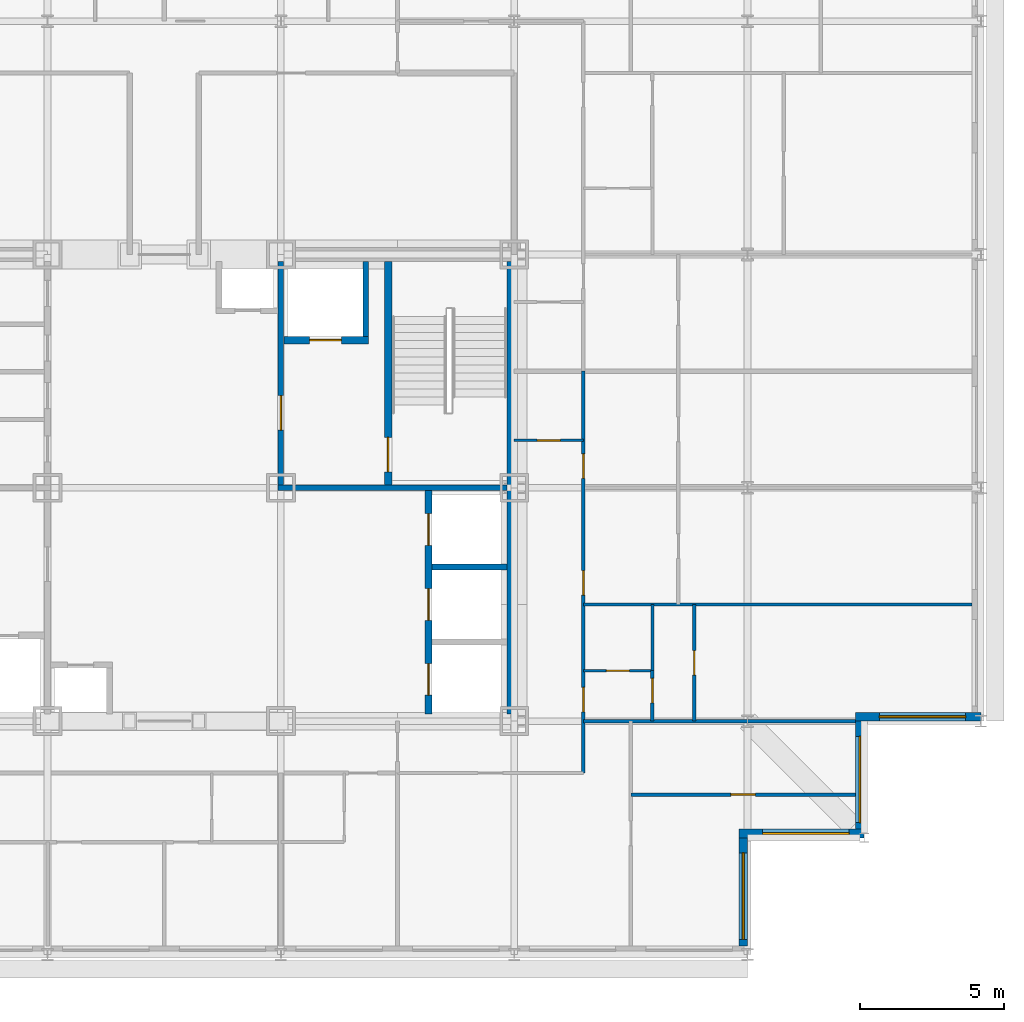
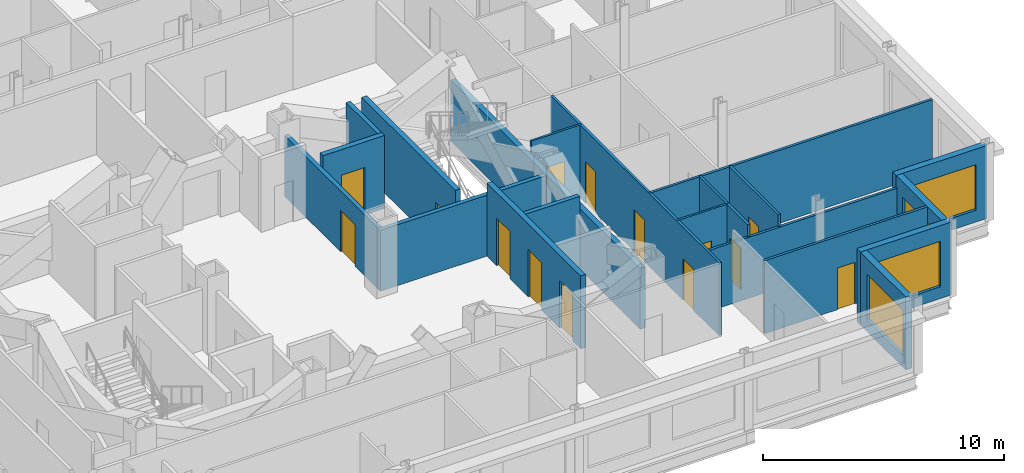
# One storey, part 10 of 15: 21 walls, 14 doors, 4 windows, 18 openings.
"""IFC4 building model written with IfcOpenShell, lengths in metres."""

from ifc_helpers import new_model, si_unit, direction, frame, frame_2d, origin, place, context, subcontext, project, spatial, rectangle, extrude, material, layer, layer_set, type_object, element, fill, save


model = new_model("IFC4")

# Units and contexts
model_context = context("Model", 3, precision=1e-05, world=origin(), true_north=direction((0.0, 1.0)))
body_context = subcontext(model_context, "Body", "Model", "MODEL_VIEW")
ifc_project = project(units=[si_unit("LENGTHUNIT", "METRE"), si_unit("AREAUNIT", "SQUARE_METRE"), si_unit("VOLUMEUNIT", "CUBIC_METRE"), si_unit("PLANEANGLEUNIT", "RADIAN"), si_unit("MASSUNIT", "GRAM", prefix="KILO")], contexts=[model_context])

# Site, building, storey
site_placement = place(None, origin())
site = spatial("IfcSite", under=ifc_project, at=site_placement, CompositionType="ELEMENT")
building_placement = place(site_placement, origin())
building = spatial("IfcBuilding", under=site, at=building_placement, Name="Kopane Lantern Tower", CompositionType="ELEMENT")
storey_placement = place(building_placement, frame((0.0, 0.0, 281.39990234375)))
storey = spatial("IfcBuildingStorey", under=building, at=storey_placement, Name="L72", CompositionType="ELEMENT", Elevation=281.39990234375)

# Wall, openings, doors
ifc_material_1 = material(Name="Gypsum board on steel studs", Category="steel")
ifc_layer_1 = layer(ifc_material_1, 0.1201171875)
ifc_layer_set_1 = layer_set([ifc_layer_1], Name="APARTMENT INTERNAL WALL 120")
wall_type_1 = type_object("IfcWallType", Name="APARTMENT INTERNAL WALL 120", PredefinedType="PARTITIONING", material=ifc_layer_set_1)
wall_1_placement = place(storey_placement, frame((42.89990234375, 22.5, 0.0), z_axis=(0.0, 0.0, 1.0), x_axis=(0.0, 1.0, 0.0)))
wall_1 = element("IfcWall", 1, at=wall_1_placement, inside=storey, type_object=wall_type_1, Name="Apartment Internal Wall 120 L72", PredefinedType="PARTITIONING", context=body_context, shape_type="SweptSolid", body=[
    extrude(rectangle(XDim=13.949951171875, YDim=0.1201171875, at=frame_2d((6.97509765625, 0.0))), origin(), (0.0, 0.0, 1.0), 3.690185546875),
])
opening_1_placement = place(wall_1_placement, frame((2.125, 0.0, 0.0)))
opening_1 = element("IfcOpeningElement", 2, at=opening_1_placement, cuts=wall_1, Name="Opening L72-042", PredefinedType="OPENING", context=body_context, shape_type="SweptSolid", body=[
    extrude(rectangle(XDim=0.85009765625, YDim=2.10009765625, at=frame_2d((0.425048828125, 1.050048828125))), frame((0.0, 0.070068359375, 0.0), z_axis=(0.0, -1.0, 0.0), x_axis=(1.0, 0.0, 0.0)), (0.0, 0.0, 1.0), 0.14013671875),
])
opening_2_placement = place(wall_1_placement, frame((6.175048828125, 0.0, 0.0)))
opening_2 = element("IfcOpeningElement", 3, at=opening_2_placement, cuts=wall_1, Name="Opening L72-043", PredefinedType="OPENING", context=body_context, shape_type="SweptSolid", body=[
    extrude(rectangle(XDim=0.85009765625, YDim=2.10009765625, at=frame_2d((0.425048828125, 1.050048828125))), frame((0.0, 0.070068359375, 0.0), z_axis=(0.0, -1.0, 0.0), x_axis=(1.0, 0.0, 0.0)), (0.0, 0.0, 1.0), 0.14013671875),
])
opening_3_placement = place(wall_1_placement, frame((10.22509765625, 0.0, 0.0)))
opening_3 = element("IfcOpeningElement", 4, at=opening_3_placement, cuts=wall_1, Name="Opening L72-044", PredefinedType="OPENING", context=body_context, shape_type="SweptSolid", body=[
    extrude(rectangle(XDim=0.85009765625, YDim=2.10009765625, at=frame_2d((0.425048828125, 1.050048828125))), frame((0.0, 0.070068359375, 0.0), z_axis=(0.0, -1.0, 0.0), x_axis=(1.0, 0.0, 0.0)), (0.0, 0.0, 1.0), 0.14013671875),
])
ifc_material_2 = material(Name="Timber door set", Category="wood")
door_type_1 = type_object("IfcDoorType", Name="DOOR D4 850x2100", OperationType="SINGLE_SWING_LEFT", PredefinedType="DOOR", material=ifc_material_2)
door_1_placement = place(opening_1_placement, origin())
door_1 = element("IfcDoor", 5, at=door_1_placement, inside=storey, type_object=door_type_1, Name="Door L72-042", OperationType="SINGLE_SWING_RIGHT", OverallHeight=2.10009765625, OverallWidth=0.85009765625, PredefinedType="DOOR", context=body_context, shape_type="SweptSolid", body=[
    extrude(rectangle(XDim=0.85009765625, YDim=2.10009765625, at=frame_2d((0.425048828125, 1.050048828125))), frame((0.0, 0.02490234375, 0.0), z_axis=(0.0, -1.0, 0.0), x_axis=(1.0, 0.0, 0.0)), (0.0, 0.0, 1.0), 0.050048828125),
])
fill(opening_1, door_1)
door_2_placement = place(opening_2_placement, origin())
door_2 = element("IfcDoor", 6, at=door_2_placement, inside=storey, type_object=door_type_1, Name="Door L72-043", OperationType="SINGLE_SWING_RIGHT", OverallHeight=2.10009765625, OverallWidth=0.85009765625, PredefinedType="DOOR", context=body_context, shape_type="SweptSolid", body=[
    extrude(rectangle(XDim=0.85009765625, YDim=2.10009765625, at=frame_2d((0.425048828125, 1.050048828125))), frame((0.0, 0.02490234375, 0.0), z_axis=(0.0, -1.0, 0.0), x_axis=(1.0, 0.0, 0.0)), (0.0, 0.0, 1.0), 0.050048828125),
])
fill(opening_2, door_2)
door_3_placement = place(opening_3_placement, origin())
door_3 = element("IfcDoor", 7, at=door_3_placement, inside=storey, type_object=door_type_1, Name="Door L72-044", OperationType="SINGLE_SWING_RIGHT", OverallHeight=2.10009765625, OverallWidth=0.85009765625, PredefinedType="DOOR", context=body_context, shape_type="SweptSolid", body=[
    extrude(rectangle(XDim=0.85009765625, YDim=2.10009765625, at=frame_2d((0.425048828125, 1.050048828125))), frame((0.0, 0.02490234375, 0.0), z_axis=(0.0, -1.0, 0.0), x_axis=(1.0, 0.0, 0.0)), (0.0, 0.0, 1.0), 0.050048828125),
])
fill(opening_3, door_3)

# Walls
wall_2_placement = place(storey_placement, frame((42.89990234375, 24.300048828125, 0.0), z_axis=(0.0, 0.0, 1.0), x_axis=(1.0, 0.0, 0.0)))
element("IfcWall", 8, at=wall_2_placement, inside=storey, type_object=wall_type_1, Name="Apartment Internal Wall 120 L72", PredefinedType="PARTITIONING", context=body_context, shape_type="SweptSolid", body=[
    extrude(rectangle(XDim=9.4501953125, YDim=0.1201171875, at=frame_2d((4.72509765625, 0.0))), origin(), (0.0, 0.0, 1.0), 3.077880859375),
])
wall_3_placement = place(storey_placement, frame((42.89990234375, 28.35009765625, 0.0), z_axis=(0.0, 0.0, 1.0), x_axis=(1.0, 0.0, 0.0)))
element("IfcWall", 9, at=wall_3_placement, inside=storey, type_object=wall_type_1, Name="Apartment Internal Wall 120 L72", PredefinedType="PARTITIONING", context=body_context, shape_type="SweptSolid", body=[
    extrude(rectangle(XDim=13.5, YDim=0.1201171875, at=frame_2d((6.75, 0.0))), origin(), (0.0, 0.0, 1.0), 3.690185546875),
])

# Wall, opening, door
wall_4_placement = place(storey_placement, frame((45.300048828125, 24.300048828125, 0.0), z_axis=(0.0, 0.0, 1.0), x_axis=(0.0, 1.0, 0.0)))
wall_4 = element("IfcWall", 10, at=wall_4_placement, inside=storey, type_object=wall_type_1, Name="Apartment Internal Wall 120 L72", PredefinedType="PARTITIONING", context=body_context, shape_type="SweptSolid", body=[
    extrude(rectangle(XDim=1.760009765625, YDim=0.1201171875, at=frame_2d((0.8798828125, 0.0))), origin(), (0.0, 0.0, 1.0), 3.690185546875),
])
opening_4_placement = place(wall_4_placement, frame((0.635009765625, 0.0, 0.0)))
opening_4 = element("IfcOpeningElement", 11, at=opening_4_placement, cuts=wall_4, Name="Opening L72-056", PredefinedType="OPENING", context=body_context, shape_type="SweptSolid", body=[
    extrude(rectangle(XDim=0.85009765625, YDim=2.10009765625, at=frame_2d((0.425048828125, 1.050048828125))), frame((0.0, 0.070068359375, 0.0), z_axis=(0.0, -1.0, 0.0), x_axis=(1.0, 0.0, 0.0)), (0.0, 0.0, 1.0), 0.14013671875),
])
door_4_placement = place(opening_4_placement, origin())
door_4 = element("IfcDoor", 12, at=door_4_placement, inside=storey, type_object=door_type_1, Name="Door L72-056", OperationType="SINGLE_SWING_RIGHT", OverallHeight=2.10009765625, OverallWidth=0.85009765625, PredefinedType="DOOR", context=body_context, shape_type="SweptSolid", body=[
    extrude(rectangle(XDim=0.85009765625, YDim=2.10009765625, at=frame_2d((0.425048828125, 1.050048828125))), frame((0.0, 0.02490234375, 0.0), z_axis=(0.0, -1.0, 0.0), x_axis=(1.0, 0.0, 0.0)), (0.0, 0.0, 1.0), 0.050048828125),
])
fill(opening_4, door_4)

wall_5_placement = place(storey_placement, frame((44.550048828125, 21.75, 0.0), z_axis=(0.0, 0.0, 1.0), x_axis=(1.0, 0.0, 0.0)))
wall_5 = element("IfcWall", 13, at=wall_5_placement, inside=storey, type_object=wall_type_1, Name="Apartment Internal Wall 120 L72", PredefinedType="PARTITIONING", context=body_context, shape_type="SweptSolid", body=[
    extrude(rectangle(XDim=7.800048828125, YDim=0.1201171875, at=frame_2d((3.89990234375, 0.0))), origin(), (0.0, 0.0, 1.0), 3.690185546875),
])
opening_5_placement = place(wall_5_placement, frame((3.47509765625, 0.0, 0.0)))
opening_5 = element("IfcOpeningElement", 14, at=opening_5_placement, cuts=wall_5, Name="Opening L72-065", PredefinedType="OPENING", context=body_context, shape_type="SweptSolid", body=[
    extrude(rectangle(XDim=0.85009765625, YDim=2.10009765625, at=frame_2d((0.425048828125, 1.050048828125))), frame((0.0, 0.070068359375, 0.0), z_axis=(0.0, -1.0, 0.0), x_axis=(1.0, 0.0, 0.0)), (0.0, 0.0, 1.0), 0.14013671875),
])
door_5_placement = place(opening_5_placement, origin())
door_5 = element("IfcDoor", 15, at=door_5_placement, inside=storey, type_object=door_type_1, Name="Door L72-065", OperationType="SINGLE_SWING_LEFT", OverallHeight=2.10009765625, OverallWidth=0.85009765625, PredefinedType="DOOR", context=body_context, shape_type="SweptSolid", body=[
    extrude(rectangle(XDim=0.85009765625, YDim=2.10009765625, at=frame_2d((0.425048828125, 1.050048828125))), frame((0.0, 0.02490234375, 0.0), z_axis=(0.0, -1.0, 0.0), x_axis=(1.0, 0.0, 0.0)), (0.0, 0.0, 1.0), 0.050048828125),
])
fill(opening_5, door_5)

wall_6_placement = place(storey_placement, frame((46.75, 24.300048828125, 0.0), z_axis=(0.0, 0.0, 1.0), x_axis=(0.0, 1.0, 0.0)))
wall_6 = element("IfcWall", 16, at=wall_6_placement, inside=storey, type_object=wall_type_1, Name="Apartment Internal Wall 120 L72", PredefinedType="PARTITIONING", context=body_context, shape_type="SweptSolid", body=[
    extrude(rectangle(XDim=4.050048828125, YDim=0.1201171875, at=frame_2d((2.02490234375, 0.0))), origin(), (0.0, 0.0, 1.0), 3.690185546875),
])
opening_6_placement = place(wall_6_placement, frame((1.60009765625, 0.0, 0.0)))
opening_6 = element("IfcOpeningElement", 17, at=opening_6_placement, cuts=wall_6, Name="Opening L72-066", PredefinedType="OPENING", context=body_context, shape_type="SweptSolid", body=[
    extrude(rectangle(XDim=0.85009765625, YDim=2.10009765625, at=frame_2d((0.425048828125, 1.050048828125))), frame((0.0, 0.070068359375, 0.0), z_axis=(0.0, -1.0, 0.0), x_axis=(1.0, 0.0, 0.0)), (0.0, 0.0, 1.0), 0.14013671875),
])
door_6_placement = place(opening_6_placement, origin())
door_6 = element("IfcDoor", 18, at=door_6_placement, inside=storey, type_object=door_type_1, Name="Door L72-066", OperationType="SINGLE_SWING_LEFT", OverallHeight=2.10009765625, OverallWidth=0.85009765625, PredefinedType="DOOR", context=body_context, shape_type="SweptSolid", body=[
    extrude(rectangle(XDim=0.85009765625, YDim=2.10009765625, at=frame_2d((0.425048828125, 1.050048828125))), frame((0.0, 0.02490234375, 0.0), z_axis=(0.0, -1.0, 0.0), x_axis=(1.0, 0.0, 0.0)), (0.0, 0.0, 1.0), 0.050048828125),
])
fill(opening_6, door_6)

ifc_material_3 = material(Name="Moisture-resistant board on steel studs", Category="steel")
ifc_layer_2 = layer(ifc_material_3, 0.10009765625)
ifc_layer_set_2 = layer_set([ifc_layer_2], Name="BATHROOM WALL 100")
wall_type_2 = type_object("IfcWallType", Name="BATHROOM WALL 100", PredefinedType="PARTITIONING", material=ifc_layer_set_2)
wall_7_placement = place(storey_placement, frame((40.5, 34.050048828125, 0.0), z_axis=(0.0, 0.0, 1.0), x_axis=(1.0, 0.0, 0.0)))
wall_7 = element("IfcWall", 19, at=wall_7_placement, inside=storey, type_object=wall_type_2, Name="Bathroom Wall 100 L72", PredefinedType="PARTITIONING", context=body_context, shape_type="SweptSolid", body=[
    extrude(rectangle(XDim=2.39990234375, YDim=0.10009765625, at=frame_2d((1.199951171875, 0.0))), origin(), (0.0, 0.0, 1.0), 3.690185546875),
])
opening_7_placement = place(wall_7_placement, frame((0.800048828125, 0.0, 0.0)))
opening_7 = element("IfcOpeningElement", 20, at=opening_7_placement, cuts=wall_7, Name="Opening L72-038", PredefinedType="OPENING", context=body_context, shape_type="SweptSolid", body=[
    extrude(rectangle(XDim=0.800048828125, YDim=2.10009765625, at=frame_2d((0.39990234375, 1.050048828125))), frame((0.0, 0.06005859375, 0.0), z_axis=(0.0, -1.0, 0.0), x_axis=(1.0, 0.0, 0.0)), (0.0, 0.0, 1.0), 0.1201171875),
])
ifc_material_4 = material(Name="Timber door set", Category="wood")
door_type_2 = type_object("IfcDoorType", Name="DOOR D2 800x2100", OperationType="SINGLE_SWING_LEFT", PredefinedType="DOOR", material=ifc_material_4)
door_7_placement = place(opening_7_placement, origin())
door_7 = element("IfcDoor", 21, at=door_7_placement, inside=storey, type_object=door_type_2, Name="Door L72-038", OperationType="SINGLE_SWING_LEFT", OverallHeight=2.10009765625, OverallWidth=0.800048828125, PredefinedType="DOOR", context=body_context, shape_type="SweptSolid", body=[
    extrude(rectangle(XDim=0.800048828125, YDim=2.10009765625, at=frame_2d((0.39990234375, 1.050048828125))), frame((0.0, 0.02490234375, 0.0), z_axis=(0.0, -1.0, 0.0), x_axis=(1.0, 0.0, 0.0)), (0.0, 0.0, 1.0), 0.050048828125),
])
fill(opening_7, door_7)

wall_8_placement = place(storey_placement, frame((42.89990234375, 26.050048828125, 0.0), z_axis=(0.0, 0.0, 1.0), x_axis=(1.0, 0.0, 0.0)))
wall_8 = element("IfcWall", 22, at=wall_8_placement, inside=storey, type_object=wall_type_2, Name="Bathroom Wall 100 L72", PredefinedType="PARTITIONING", context=body_context, shape_type="SweptSolid", body=[
    extrude(rectangle(XDim=2.400146484375, YDim=0.10009765625, at=frame_2d((1.2001953125, 0.0))), origin(), (0.0, 0.0, 1.0), 3.690185546875),
])
opening_8_placement = place(wall_8_placement, frame((0.800048828125, 0.0, 0.0)))
opening_8 = element("IfcOpeningElement", 23, at=opening_8_placement, cuts=wall_8, Name="Opening L72-041", PredefinedType="OPENING", context=body_context, shape_type="SweptSolid", body=[
    extrude(rectangle(XDim=0.800048828125, YDim=2.10009765625, at=frame_2d((0.39990234375, 1.050048828125))), frame((0.0, 0.06005859375, 0.0), z_axis=(0.0, -1.0, 0.0), x_axis=(1.0, 0.0, 0.0)), (0.0, 0.0, 1.0), 0.1201171875),
])
door_8_placement = place(opening_8_placement, origin())
door_8 = element("IfcDoor", 24, at=door_8_placement, inside=storey, type_object=door_type_2, Name="Door L72-041", OperationType="SINGLE_SWING_LEFT", OverallHeight=2.10009765625, OverallWidth=0.800048828125, PredefinedType="DOOR", context=body_context, shape_type="SweptSolid", body=[
    extrude(rectangle(XDim=0.800048828125, YDim=2.10009765625, at=frame_2d((0.39990234375, 1.050048828125))), frame((0.0, 0.02490234375, 0.0), z_axis=(0.0, -1.0, 0.0), x_axis=(1.0, 0.0, 0.0)), (0.0, 0.0, 1.0), 0.050048828125),
])
fill(opening_8, door_8)

# Walls
wall_9_placement = place(storey_placement, frame((45.300048828125, 26.050048828125, 0.0), z_axis=(0.0, 0.0, 1.0), x_axis=(0.0, 1.0, 0.0)))
element("IfcWall", 25, at=wall_9_placement, inside=storey, type_object=wall_type_2, Name="Bathroom Wall 100 L72", PredefinedType="PARTITIONING", context=body_context, shape_type="SweptSolid", body=[
    extrude(rectangle(XDim=2.300048828125, YDim=0.10009765625, at=frame_2d((1.14990234375, 0.0))), origin(), (0.0, 0.0, 1.0), 3.690185546875),
])
ifc_material_5 = material(Name="Gypsum shaft wall EI 120", Category="gypsum")
ifc_layer_3 = layer(ifc_material_5, 0.25)
ifc_layer_set_3 = layer_set([ifc_layer_3], Name="CORE SHAFT WALL 250 EI 120")
wall_type_3 = type_object("IfcWallType", Name="CORE SHAFT WALL 250 EI 120", PredefinedType="SOLIDWALL", material=ifc_layer_set_3)
wall_10_placement = place(storey_placement, frame((40.375, 24.550048828125, 0.0), z_axis=(0.0, 0.0, 1.0), x_axis=(0.0, 1.0, 0.0)))
element("IfcWall", 26, at=wall_10_placement, inside=storey, type_object=wall_type_3, Name="Core shaft wall L72 PE", PredefinedType="SOLIDWALL", context=body_context, shape_type="SweptSolid", body=[
    extrude(rectangle(XDim=15.699951171875, YDim=0.25, at=frame_2d((7.85009765625, 0.0))), origin(), (0.0, 0.0, 1.0), 3.077880859375),
])

# Wall, openings, doors
wall_11_placement = place(storey_placement, frame((37.52490234375, 24.550048828125, 0.0), z_axis=(0.0, 0.0, 1.0), x_axis=(0.0, 1.0, 0.0)))
wall_11 = element("IfcWall", 27, at=wall_11_placement, inside=storey, type_object=wall_type_3, Name="Core shaft wall L72 XLR", PredefinedType="SOLIDWALL", context=body_context, shape_type="SweptSolid", body=[
    extrude(rectangle(XDim=7.75, YDim=0.25, at=frame_2d((3.875, 0.0))), origin(), (0.0, 0.0, 1.0), 3.690185546875),
])
opening_9_placement = place(wall_11_placement, frame((0.64990234375, 0.0, 0.0)))
opening_9 = element("IfcOpeningElement", 28, at=opening_9_placement, cuts=wall_11, Name="Opening 72.LD-LR1", PredefinedType="OPENING", context=body_context, shape_type="SweptSolid", body=[
    extrude(rectangle(XDim=1.10009765625, YDim=2.39990234375, at=frame_2d((0.550048828125, 1.199951171875))), frame((0.0, 0.135009765625, 0.0), z_axis=(0.0, -1.0, 0.0), x_axis=(1.0, 0.0, 0.0)), (0.0, 0.0, 1.0), 0.27001953125),
])
opening_10_placement = place(wall_11_placement, frame((3.25, 0.0, 0.0)))
opening_10 = element("IfcOpeningElement", 29, at=opening_10_placement, cuts=wall_11, Name="Opening 72.LD-LR2", PredefinedType="OPENING", context=body_context, shape_type="SweptSolid", body=[
    extrude(rectangle(XDim=1.10009765625, YDim=2.39990234375, at=frame_2d((0.550048828125, 1.199951171875))), frame((0.0, 0.135009765625, 0.0), z_axis=(0.0, -1.0, 0.0), x_axis=(1.0, 0.0, 0.0)), (0.0, 0.0, 1.0), 0.27001953125),
])
opening_11_placement = place(wall_11_placement, frame((5.85009765625, 0.0, 0.0)))
opening_11 = element("IfcOpeningElement", 30, at=opening_11_placement, cuts=wall_11, Name="Opening 72.LD-LR3", PredefinedType="OPENING", context=body_context, shape_type="SweptSolid", body=[
    extrude(rectangle(XDim=1.10009765625, YDim=2.39990234375, at=frame_2d((0.550048828125, 1.199951171875))), frame((0.0, 0.135009765625, 0.0), z_axis=(0.0, -1.0, 0.0), x_axis=(1.0, 0.0, 0.0)), (0.0, 0.0, 1.0), 0.27001953125),
])
ifc_material_6 = material(Name="Steel door set", Category="steel")
door_type_3 = type_object("IfcDoorType", Name="LIFT LANDING DOOR 1100x2400 FD60", OperationType="DOUBLE_DOOR_SLIDING", PredefinedType="DOOR", material=ifc_material_6)
door_9_placement = place(opening_9_placement, origin())
door_9 = element("IfcDoor", 31, at=door_9_placement, inside=storey, type_object=door_type_3, Name="Landing door LR1 L72", OperationType="DOUBLE_DOOR_SLIDING", OverallHeight=2.39990234375, OverallWidth=1.10009765625, PredefinedType="DOOR", context=body_context, shape_type="SweptSolid", body=[
    extrude(rectangle(XDim=1.10009765625, YDim=2.39990234375, at=frame_2d((0.550048828125, 1.199951171875))), frame((0.0, 0.02490234375, 0.0), z_axis=(0.0, -1.0, 0.0), x_axis=(1.0, 0.0, 0.0)), (0.0, 0.0, 1.0), 0.050048828125),
])
fill(opening_9, door_9)
door_10_placement = place(opening_10_placement, origin())
door_10 = element("IfcDoor", 32, at=door_10_placement, inside=storey, type_object=door_type_3, Name="Landing door LR2 L72", OperationType="DOUBLE_DOOR_SLIDING", OverallHeight=2.39990234375, OverallWidth=1.10009765625, PredefinedType="DOOR", context=body_context, shape_type="SweptSolid", body=[
    extrude(rectangle(XDim=1.10009765625, YDim=2.39990234375, at=frame_2d((0.550048828125, 1.199951171875))), frame((0.0, 0.02490234375, 0.0), z_axis=(0.0, -1.0, 0.0), x_axis=(1.0, 0.0, 0.0)), (0.0, 0.0, 1.0), 0.050048828125),
])
fill(opening_10, door_10)
door_11_placement = place(opening_11_placement, origin())
door_11 = element("IfcDoor", 33, at=door_11_placement, inside=storey, type_object=door_type_3, Name="Landing door LR3 L72", OperationType="DOUBLE_DOOR_SLIDING", OverallHeight=2.39990234375, OverallWidth=1.10009765625, PredefinedType="DOOR", context=body_context, shape_type="SweptSolid", body=[
    extrude(rectangle(XDim=1.10009765625, YDim=2.39990234375, at=frame_2d((0.550048828125, 1.199951171875))), frame((0.0, 0.02490234375, 0.0), z_axis=(0.0, -1.0, 0.0), x_axis=(1.0, 0.0, 0.0)), (0.0, 0.0, 1.0), 0.050048828125),
])
fill(opening_11, door_11)

# Wall, opening, door
wall_12_placement = place(storey_placement, frame((36.125, 32.5, 0.0), z_axis=(0.0, 0.0, 1.0), x_axis=(0.0, 1.0, 0.0)))
wall_12 = element("IfcWall", 34, at=wall_12_placement, inside=storey, type_object=wall_type_3, Name="Core shaft wall L72 XST2", PredefinedType="SOLIDWALL", context=body_context, shape_type="SweptSolid", body=[
    extrude(rectangle(XDim=7.75, YDim=0.25, at=frame_2d((3.875, 0.0))), origin(), (0.0, 0.0, 1.0), 3.690185546875),
])
opening_12_placement = place(wall_12_placement, frame((0.449951171875, 0.0, 0.0)))
opening_12 = element("IfcOpeningElement", 35, at=opening_12_placement, cuts=wall_12, Name="Opening 72.SD2", PredefinedType="OPENING", context=body_context, shape_type="SweptSolid", body=[
    extrude(rectangle(XDim=1.199951171875, YDim=2.10009765625, at=frame_2d((0.60009765625, 1.050048828125))), frame((0.0, 0.135009765625, 0.0), z_axis=(0.0, -1.0, 0.0), x_axis=(1.0, 0.0, 0.0)), (0.0, 0.0, 1.0), 0.27001953125),
])
ifc_material_7 = material(Name="Steel door set", Category="steel")
door_type_4 = type_object("IfcDoorType", Name="STAIR DOOR 1200x2100 FD60S", OperationType="SINGLE_SWING_LEFT", PredefinedType="DOOR", material=ifc_material_7)
door_12_placement = place(opening_12_placement, origin())
door_12 = element("IfcDoor", 36, at=door_12_placement, inside=storey, type_object=door_type_4, Name="Stair door ST2 L72", OperationType="SINGLE_SWING_RIGHT", OverallHeight=2.10009765625, OverallWidth=1.199951171875, PredefinedType="DOOR", context=body_context, shape_type="SweptSolid", body=[
    extrude(rectangle(XDim=1.199951171875, YDim=2.10009765625, at=frame_2d((0.60009765625, 1.050048828125))), frame((0.0, 0.02490234375, 0.0), z_axis=(0.0, -1.0, 0.0), x_axis=(1.0, 0.0, 0.0)), (0.0, 0.0, 1.0), 0.050048828125),
])
fill(opening_12, door_12)

wall_13_placement = place(storey_placement, frame((32.5, 37.52490234375, 0.0), z_axis=(0.0, 0.0, 1.0), x_axis=(1.0, 0.0, 0.0)))
wall_13 = element("IfcWall", 37, at=wall_13_placement, inside=storey, type_object=wall_type_3, Name="Core shaft wall L72 YLF2", PredefinedType="SOLIDWALL", context=body_context, shape_type="SweptSolid", body=[
    extrude(rectangle(XDim=2.949951171875, YDim=0.25, at=frame_2d((1.47509765625, 0.0))), origin(), (0.0, 0.0, 1.0), 3.690185546875),
])
opening_13_placement = place(wall_13_placement, frame((0.89990234375, 0.0, 0.0)))
opening_13 = element("IfcOpeningElement", 38, at=opening_13_placement, cuts=wall_13, Name="Opening 72.LD-LF2", PredefinedType="OPENING", context=body_context, shape_type="SweptSolid", body=[
    extrude(rectangle(XDim=1.10009765625, YDim=2.39990234375, at=frame_2d((0.550048828125, 1.199951171875))), frame((0.0, 0.135009765625, 0.0), z_axis=(0.0, -1.0, 0.0), x_axis=(1.0, 0.0, 0.0)), (0.0, 0.0, 1.0), 0.27001953125),
])
door_13_placement = place(opening_13_placement, origin())
door_13 = element("IfcDoor", 39, at=door_13_placement, inside=storey, type_object=door_type_3, Name="Landing door LF2 L72", OperationType="DOUBLE_DOOR_SLIDING", OverallHeight=2.39990234375, OverallWidth=1.10009765625, PredefinedType="DOOR", context=body_context, shape_type="SweptSolid", body=[
    extrude(rectangle(XDim=1.10009765625, YDim=2.39990234375, at=frame_2d((0.550048828125, 1.199951171875))), frame((0.0, 0.02490234375, 0.0), z_axis=(0.0, -1.0, 0.0), x_axis=(1.0, 0.0, 0.0)), (0.0, 0.0, 1.0), 0.050048828125),
])
fill(opening_13, door_13)

# Wall, opening, window
ifc_material_8 = material(Name="Terracotta rainscreen on light steel framing", Category="masonry")
ifc_layer_4 = layer(ifc_material_8, 0.300048828125)
ifc_layer_set_4 = layer_set([ifc_layer_4], Name="EXTERNAL WALL EW1 300 TERRACOTTA")
wall_type_4 = type_object("IfcWallType", Name="EXTERNAL WALL EW1 300 TERRACOTTA", PredefinedType="SOLIDWALL", material=ifc_layer_set_4)
wall_14_placement = place(storey_placement, frame((48.449951171875, 16.5, 0.0), z_axis=(0.0, 0.0, 1.0), x_axis=(0.0, 1.0, 0.0)))
wall_14 = element("IfcWall", 40, at=wall_14_placement, inside=storey, type_object=wall_type_4, Name="External wall E L72", PredefinedType="SOLIDWALL", context=body_context, shape_type="SweptSolid", body=[
    extrude(rectangle(XDim=3.75, YDim=0.300048828125, at=frame_2d((1.875, 0.0))), origin(), (0.0, 0.0, 1.0), 3.690185546875),
])
opening_14_placement = place(wall_14_placement, frame((0.22509765625, 0.0, 0.60009765625)))
opening_14 = element("IfcOpeningElement", 41, at=opening_14_placement, cuts=wall_14, Name="Opening WR300230", PredefinedType="OPENING", context=body_context, shape_type="SweptSolid", body=[
    extrude(rectangle(XDim=3.0, YDim=2.300048828125, at=frame_2d((1.5, 1.14990234375))), frame((0.0, 0.159912109375, 0.0), z_axis=(0.0, -1.0, 0.0), x_axis=(1.0, 0.0, 0.0)), (0.0, 0.0, 1.0), 0.320068359375),
])
ifc_material_9 = material(Name="Aluminium and clear glass", Category="aluminium")
window_type = type_object("IfcWindowType", Name="RIBBON WINDOW WR300230 3000x2300", PartitioningType="SINGLE_PANEL", PredefinedType="WINDOW", material=ifc_material_9)
window_1_placement = place(opening_14_placement, origin())
window_1 = element("IfcWindow", 42, at=window_1_placement, inside=storey, type_object=window_type, Name="Window E L72", OverallHeight=2.300048828125, OverallWidth=3.0, PartitioningType="SINGLE_PANEL", PredefinedType="WINDOW", context=body_context, shape_type="SweptSolid", body=[
    extrude(rectangle(XDim=3.0, YDim=2.300048828125, at=frame_2d((1.5, 1.14990234375))), frame((0.0, 0.030029296875, 0.0), z_axis=(0.0, -1.0, 0.0), x_axis=(1.0, 0.0, 0.0)), (0.0, 0.0, 1.0), 0.06005859375),
])
fill(opening_14, window_1)

wall_15_placement = place(storey_placement, frame((48.300048828125, 20.39990234375, 0.0), z_axis=(0.0, 0.0, 1.0), x_axis=(1.0, 0.0, 0.0)))
wall_15 = element("IfcWall", 43, at=wall_15_placement, inside=storey, type_object=wall_type_4, Name="External wall S L72", PredefinedType="SOLIDWALL", context=body_context, shape_type="SweptSolid", body=[
    extrude(rectangle(XDim=4.349853515625, YDim=0.300048828125, at=frame_2d((2.1748046875, 0.0))), origin(), (0.0, 0.0, 1.0), 3.690185546875),
])
opening_15_placement = place(wall_15_placement, frame((0.824951171875, 0.0, 0.60009765625)))
opening_15 = element("IfcOpeningElement", 44, at=opening_15_placement, cuts=wall_15, Name="Opening WR300230", PredefinedType="OPENING", context=body_context, shape_type="SweptSolid", body=[
    extrude(rectangle(XDim=3.0, YDim=2.300048828125, at=frame_2d((1.5, 1.14990234375))), frame((0.0, 0.159912109375, 0.0), z_axis=(0.0, -1.0, 0.0), x_axis=(1.0, 0.0, 0.0)), (0.0, 0.0, 1.0), 0.320068359375),
])
window_2_placement = place(opening_15_placement, origin())
window_2 = element("IfcWindow", 45, at=window_2_placement, inside=storey, type_object=window_type, Name="Window S L72", OverallHeight=2.300048828125, OverallWidth=3.0, PartitioningType="SINGLE_PANEL", PredefinedType="WINDOW", context=body_context, shape_type="SweptSolid", body=[
    extrude(rectangle(XDim=3.0, YDim=2.300048828125, at=frame_2d((1.5, 1.14990234375))), frame((0.0, 0.030029296875, 0.0), z_axis=(0.0, -1.0, 0.0), x_axis=(1.0, 0.0, 0.0)), (0.0, 0.0, 1.0), 0.06005859375),
])
fill(opening_15, window_2)

wall_16_placement = place(storey_placement, frame((52.5, 20.550048828125, 0.0), z_axis=(0.0, 0.0, 1.0), x_axis=(0.0, 1.0, 0.0)))
wall_16 = element("IfcWall", 46, at=wall_16_placement, inside=storey, type_object=wall_type_4, Name="External wall E L72", PredefinedType="SOLIDWALL", context=body_context, shape_type="SweptSolid", body=[
    extrude(rectangle(XDim=3.75, YDim=0.300048828125, at=frame_2d((1.875, 0.0))), origin(), (0.0, 0.0, 1.0), 3.690185546875),
])
opening_16_placement = place(wall_16_placement, frame((0.22509765625, 0.0, 0.60009765625)))
opening_16 = element("IfcOpeningElement", 47, at=opening_16_placement, cuts=wall_16, Name="Opening WR300230", PredefinedType="OPENING", context=body_context, shape_type="SweptSolid", body=[
    extrude(rectangle(XDim=3.0, YDim=2.300048828125, at=frame_2d((1.5, 1.14990234375))), frame((0.0, 0.159912109375, 0.0), z_axis=(0.0, -1.0, 0.0), x_axis=(1.0, 0.0, 0.0)), (0.0, 0.0, 1.0), 0.320068359375),
])
window_3_placement = place(opening_16_placement, origin())
window_3 = element("IfcWindow", 48, at=window_3_placement, inside=storey, type_object=window_type, Name="Window E L72", OverallHeight=2.300048828125, OverallWidth=3.0, PartitioningType="SINGLE_PANEL", PredefinedType="WINDOW", context=body_context, shape_type="SweptSolid", body=[
    extrude(rectangle(XDim=3.0, YDim=2.300048828125, at=frame_2d((1.5, 1.14990234375))), frame((0.0, 0.030029296875, 0.0), z_axis=(0.0, -1.0, 0.0), x_axis=(1.0, 0.0, 0.0)), (0.0, 0.0, 1.0), 0.06005859375),
])
fill(opening_16, window_3)

wall_17_placement = place(storey_placement, frame((52.35009765625, 24.449951171875, 0.0), z_axis=(0.0, 0.0, 1.0), x_axis=(1.0, 0.0, 0.0)))
wall_17 = element("IfcWall", 49, at=wall_17_placement, inside=storey, type_object=wall_type_4, Name="External wall S L72", PredefinedType="SOLIDWALL", context=body_context, shape_type="SweptSolid", body=[
    extrude(rectangle(XDim=4.349853515625, YDim=0.300048828125, at=frame_2d((2.1748046875, 0.0))), origin(), (0.0, 0.0, 1.0), 3.690185546875),
])
opening_17_placement = place(wall_17_placement, frame((0.824951171875, 0.0, 0.60009765625)))
opening_17 = element("IfcOpeningElement", 50, at=opening_17_placement, cuts=wall_17, Name="Opening WR300230", PredefinedType="OPENING", context=body_context, shape_type="SweptSolid", body=[
    extrude(rectangle(XDim=3.0, YDim=2.300048828125, at=frame_2d((1.5, 1.14990234375))), frame((0.0, 0.159912109375, 0.0), z_axis=(0.0, -1.0, 0.0), x_axis=(1.0, 0.0, 0.0)), (0.0, 0.0, 1.0), 0.320068359375),
])
window_4_placement = place(opening_17_placement, origin())
window_4 = element("IfcWindow", 51, at=window_4_placement, inside=storey, type_object=window_type, Name="Window S L72", OverallHeight=2.300048828125, OverallWidth=3.0, PartitioningType="SINGLE_PANEL", PredefinedType="WINDOW", context=body_context, shape_type="SweptSolid", body=[
    extrude(rectangle(XDim=3.0, YDim=2.300048828125, at=frame_2d((1.5, 1.14990234375))), frame((0.0, 0.030029296875, 0.0), z_axis=(0.0, -1.0, 0.0), x_axis=(1.0, 0.0, 0.0)), (0.0, 0.0, 1.0), 0.06005859375),
])
fill(opening_17, window_4)

# Wall
ifc_material_10 = material(Name="Gypsum shaft wall EI 120", Category="gypsum")
ifc_layer_5 = layer(ifc_material_10, 0.199951171875)
ifc_layer_set_5 = layer_set([ifc_layer_5], Name="SHAFT WALL 200 EI 120")
wall_type_5 = type_object("IfcWallType", Name="SHAFT WALL 200 EI 120", PredefinedType="SOLIDWALL", material=ifc_layer_set_5)
wall_18_placement = place(storey_placement, frame((32.300048828125, 32.39990234375, 0.0), z_axis=(0.0, 0.0, 1.0), x_axis=(1.0, 0.0, 0.0)))
element("IfcWall", 52, at=wall_18_placement, inside=storey, type_object=wall_type_5, Name="Core shaft wall L72 Y324E", PredefinedType="SOLIDWALL", context=body_context, shape_type="SweptSolid", body=[
    extrude(rectangle(XDim=7.949951171875, YDim=0.199951171875, at=frame_2d((3.97509765625, 0.0))), origin(), (0.0, 0.0, 1.0), 3.077880859375),
])

# Wall, opening, door
wall_19_placement = place(storey_placement, frame((32.39990234375, 32.5, 0.0), z_axis=(0.0, 0.0, 1.0), x_axis=(0.0, 1.0, 0.0)))
wall_19 = element("IfcWall", 53, at=wall_19_placement, inside=storey, type_object=wall_type_5, Name="Core shaft wall L72 X324", PredefinedType="SOLIDWALL", context=body_context, shape_type="SweptSolid", body=[
    extrude(rectangle(XDim=7.75, YDim=0.199951171875, at=frame_2d((3.875, 0.0))), origin(), (0.0, 0.0, 1.0), 3.077880859375),
])
opening_18_placement = place(wall_19_placement, frame((1.89990234375, 0.0, 0.0)))
opening_18 = element("IfcOpeningElement", 54, at=opening_18_placement, cuts=wall_19, Name="Opening 72.FL2", PredefinedType="OPENING", context=body_context, shape_type="SweptSolid", body=[
    extrude(rectangle(XDim=1.199951171875, YDim=2.10009765625, at=frame_2d((0.60009765625, 1.050048828125))), frame((0.0, 0.10986328125, 0.0), z_axis=(0.0, -1.0, 0.0), x_axis=(1.0, 0.0, 0.0)), (0.0, 0.0, 1.0), 0.219970703125),
])
ifc_material_11 = material(Name="Steel door set", Category="steel")
door_type_5 = type_object("IfcDoorType", Name="FIREFIGHTING LOBBY DOOR 1200x2100 FD60S", OperationType="SINGLE_SWING_RIGHT", PredefinedType="DOOR", material=ifc_material_11)
door_14_placement = place(opening_18_placement, origin())
door_14 = element("IfcDoor", 55, at=door_14_placement, inside=storey, type_object=door_type_5, Name="Firefighting lobby door FL2 L72", OperationType="SINGLE_SWING_LEFT", OverallHeight=2.10009765625, OverallWidth=1.199951171875, PredefinedType="DOOR", context=body_context, shape_type="SweptSolid", body=[
    extrude(rectangle(XDim=1.199951171875, YDim=2.10009765625, at=frame_2d((0.60009765625, 1.050048828125))), frame((0.0, 0.02490234375, 0.0), z_axis=(0.0, -1.0, 0.0), x_axis=(1.0, 0.0, 0.0)), (0.0, 0.0, 1.0), 0.050048828125),
])
fill(opening_18, door_14)

# Walls
for number, where, z_axis, x_axis, name in (
    (56, (37.64990234375, 29.64990234375, 0.0), (0.0, 0.0, 1.0), (1.0, 0.0, 0.0), "Core shaft wall L72 YLR23"),
    (57, (35.35009765625, 37.64990234375, 0.0), (0.0, 0.0, 1.0), (0.0, 1.0, 0.0), "Core shaft wall L72 XLF2"),
):
    element("IfcWall", number, at=place(storey_placement, frame(where, z_axis=z_axis, x_axis=x_axis)), inside=storey, type_object=wall_type_5, Name=name, PredefinedType="SOLIDWALL", context=body_context, shape_type="SweptSolid", body=[
        extrude(rectangle(XDim=2.60009765625, YDim=0.199951171875, at=frame_2d((1.300048828125, 0.0))), origin(), (0.0, 0.0, 1.0), 3.690185546875),
    ])

save(model, "model.ifc")
